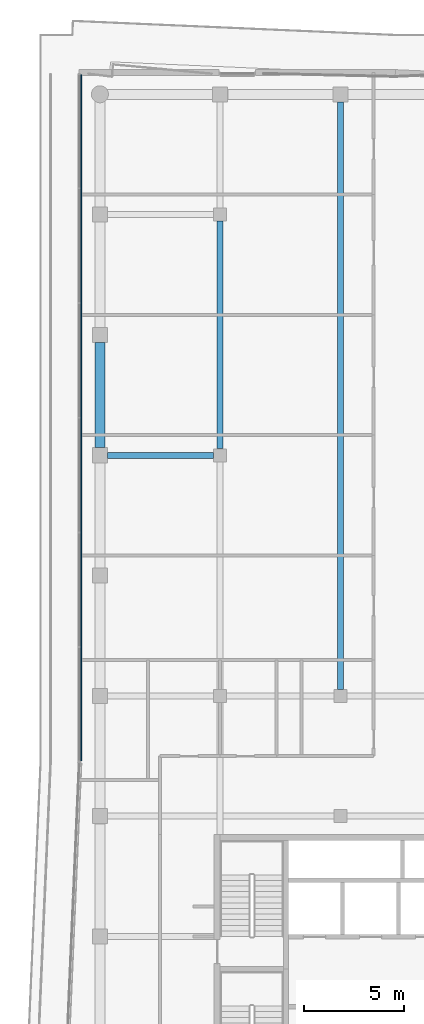
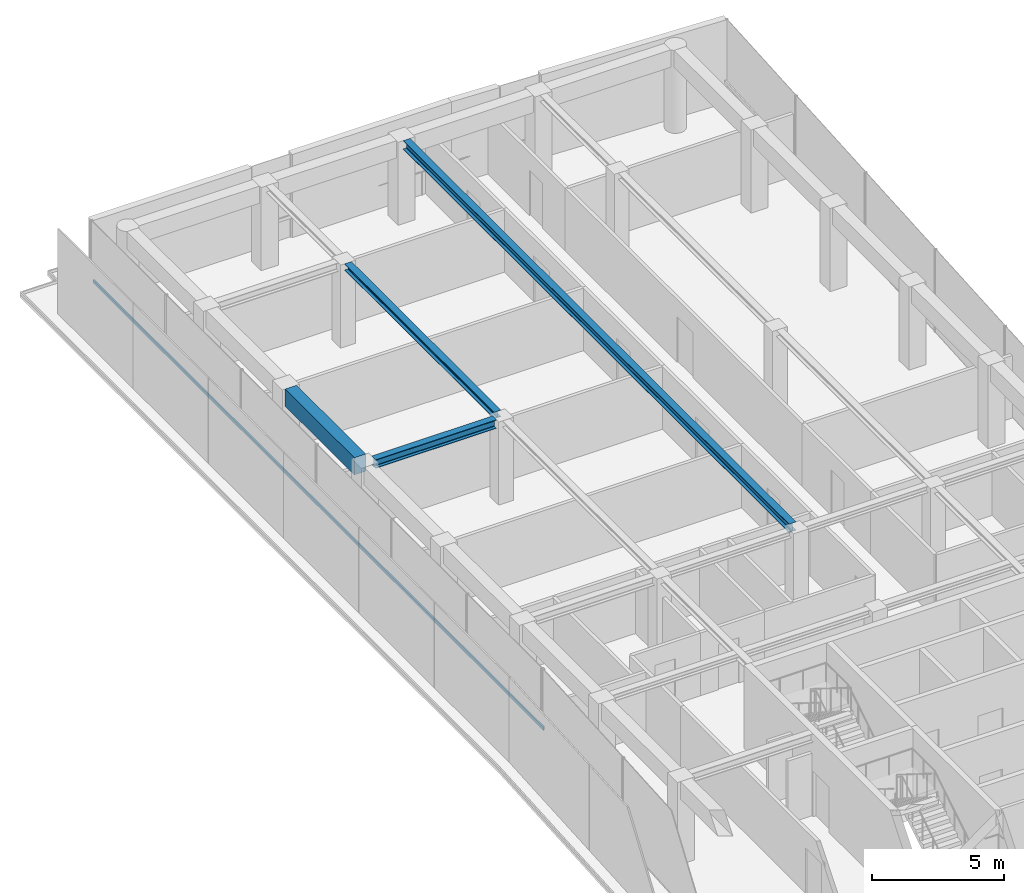
# One storey, part 9 of 19: 4 beams, 1 member, 1 element without a shape of its own.
"""IFC4 building model written with IfcOpenShell, lengths in metres."""

from ifc_helpers import new_model, si_unit, direction, frame, origin, origin_2d, place, context, subcontext, project, spatial, rectangle, i_section, extrude, material, layer, layer_set, material_profile, profile_set, type_object, element, aggregate, save


model = new_model("IFC4")

# Units and contexts
model_context = context("Model", 3, precision=1e-05, world=origin(), true_north=direction((0.0, 1.0)))
body_context = subcontext(model_context, "Body", "Model", "MODEL_VIEW")
ifc_project = project(units=[si_unit("LENGTHUNIT", "METRE"), si_unit("AREAUNIT", "SQUARE_METRE"), si_unit("VOLUMEUNIT", "CUBIC_METRE"), si_unit("PLANEANGLEUNIT", "RADIAN"), si_unit("MASSUNIT", "GRAM", prefix="KILO")], contexts=[model_context])

# Site, building, storey
site_placement = place(None, origin())
site = spatial("IfcSite", under=ifc_project, at=site_placement, CompositionType="ELEMENT")
building_placement = place(site_placement, origin())
building = spatial("IfcBuilding", under=site, at=building_placement, Name="Welwitschia Terrace Campus", CompositionType="ELEMENT")
storey_placement = place(building_placement, frame((0.0, 0.0, 276.800048828125)))
storey = spatial("IfcBuildingStorey", under=building, at=storey_placement, Name="L61", CompositionType="ELEMENT", Elevation=276.800048828125)

# Beams
ifc_material_1 = material(Name="Steel S355", Category="steel")
ifc_material_profile_1 = material_profile(ifc_material_1, i_section(OverallWidth=0.300048828125, OverallDepth=0.300048828125, WebThickness=0.010986328125, FlangeThickness=0.01904296875, FilletRadius=0.027099609375, at=origin_2d()))
ifc_profile_set_1 = profile_set([ifc_material_profile_1], Name="Steel S355")
beam_type_1 = type_object("IfcBeamType", Name="Interior girder HE 300 B", PredefinedType="BEAM", material=ifc_profile_set_1)
beam_1_placement = place(storey_placement, frame((6.0, 44.325439453125, 3.699951171875), z_axis=(0.0, 1.0, 0.0), x_axis=(-1.0, 0.0, 0.0)))
element("IfcBeam", 1, at=beam_1_placement, inside=storey, type_object=beam_type_1, Name="Girder GB6", PredefinedType="BEAM", context=body_context, shape_type="SweptSolid", body=[
    extrude(i_section(OverallWidth=0.300048828125, OverallDepth=0.300048828125, WebThickness=0.010986328125, FlangeThickness=0.01904296875, FilletRadius=0.027099609375, at=origin_2d()), origin(), (0.0, 0.0, 1.0), 11.34912109375),
])
ifc_material_2 = material(Name="Steel S355", Category="steel")
ifc_material_profile_2 = material_profile(ifc_material_2, i_section(OverallWidth=0.300048828125, OverallDepth=0.39990234375, WebThickness=0.013427734375, FlangeThickness=0.02392578125, FilletRadius=0.027099609375, at=origin_2d()))
ifc_profile_set_2 = profile_set([ifc_material_profile_2], Name="Steel S355")
beam_type_2 = type_object("IfcBeamType", Name="Primary beam HE 400 B", PredefinedType="BEAM", material=ifc_profile_set_2)
beam_2_placement = place(storey_placement, frame((12.0, 61.62451171875, 3.64990234375), z_axis=(0.0, -1.0, 0.0), x_axis=(1.0, 0.0, 0.0)))
element("IfcBeam", 2, at=beam_2_placement, inside=storey, type_object=beam_type_2, Name="Primary beam PB6", PredefinedType="BEAM", context=body_context, shape_type="SweptSolid", body=[
    extrude(i_section(OverallWidth=0.300048828125, OverallDepth=0.39990234375, WebThickness=0.013427734375, FlangeThickness=0.02392578125, FilletRadius=0.027099609375, at=origin_2d()), origin(), (0.0, 0.0, 1.0), 29.299072265625),
])
beam_3_placement = place(storey_placement, frame((0.37548828125, 44.0, 3.64990234375), z_axis=(1.0, 0.0, 0.0), x_axis=(0.0, 1.0, 0.0)))
element("IfcBeam", 3, at=beam_3_placement, inside=storey, type_object=beam_type_2, Name="Primary beam PB6", PredefinedType="BEAM", context=body_context, shape_type="SweptSolid", body=[
    extrude(i_section(OverallWidth=0.300048828125, OverallDepth=0.39990234375, WebThickness=0.013427734375, FlangeThickness=0.02392578125, FilletRadius=0.027099609375, at=origin_2d()), origin(), (0.0, 0.0, 1.0), 5.299072265625),
])
ifc_material_3 = material(Name="Concrete C50/60", Category="concrete")
ifc_material_profile_3 = material_profile(ifc_material_3, rectangle(XDim=0.5, YDim=0.800048828125, at=origin_2d()))
ifc_profile_set_3 = profile_set([ifc_material_profile_3], Name="Concrete C50/60")
beam_type_3 = type_object("IfcBeamType", Name="Ring spandrel 500x800", PredefinedType="SPANDREL", material=ifc_profile_set_3)
beam_4_placement = place(storey_placement, frame((0.0, 49.62451171875, 3.449951171875), z_axis=(0.0, -1.0, 0.0), x_axis=(1.0, 0.0, 0.0)))
element("IfcBeam", 4, at=beam_4_placement, inside=storey, type_object=beam_type_3, Name="Spandrel SP4", PredefinedType="SPANDREL", context=body_context, shape_type="SweptSolid", body=[
    extrude(rectangle(XDim=0.5, YDim=0.800048828125, at=origin_2d()), origin(), (0.0, 0.0, 1.0), 5.2490234375),
])

# Curtain wall, member
ifc_material_4 = material(Name="Bronze anodised aluminium", Category="aluminium")
ifc_layer = layer(ifc_material_4, 0.1201171875)
ifc_layer_set = layer_set([ifc_layer], Name="Bronze anodised aluminium")
curtain_wall_type = type_object("IfcCurtainWallType", Name="Curtain wall CW2 tower 6000", PredefinedType="NOTDEFINED", material=ifc_layer_set)
curtain_wall_placement = place(storey_placement, origin())
curtain_wall = element("IfcCurtainWall", 5, at=curtain_wall_placement, inside=storey, type_object=curtain_wall_type, Name="CW L61.10.0", PredefinedType="NOTDEFINED")
ifc_material_5 = material(Name="Bronze anodised aluminium", Category="aluminium")
ifc_material_profile_4 = material_profile(ifc_material_5, rectangle(XDim=0.06005859375, YDim=0.14990234375, at=origin_2d()))
ifc_profile_set_4 = profile_set([ifc_material_profile_4], Name="Bronze anodised aluminium")
member_type = type_object("IfcMemberType", Name="Transom 60x150", PredefinedType="USERDEFINED", material=ifc_profile_set_4)
member_placement = place(storey_placement, frame((-0.93994140625, 62.969970703125, 1.0), z_axis=(0.0, -1.0, 0.0), x_axis=(1.0, 0.0, 0.0)))
member = element("IfcMember", 6, at=member_placement, type_object=member_type, Name="Transom L61.10.0", ObjectType="TRANSOM", PredefinedType="USERDEFINED", context=body_context, shape_type="SweptSolid", body=[
    extrude(rectangle(XDim=0.06005859375, YDim=0.14990234375, at=origin_2d()), origin(), (0.0, 0.0, 1.0), 34.194580078125),
])
aggregate(curtain_wall, [member])

save(model, "model.ifc")
